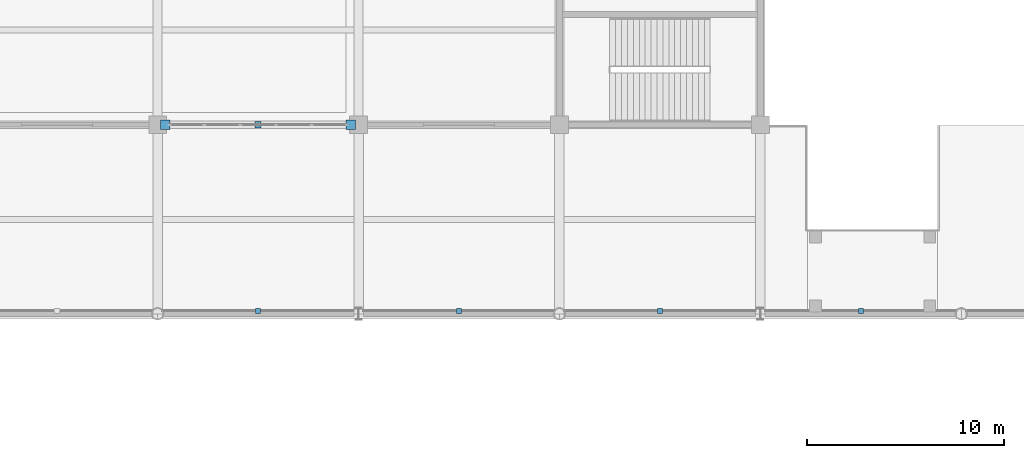
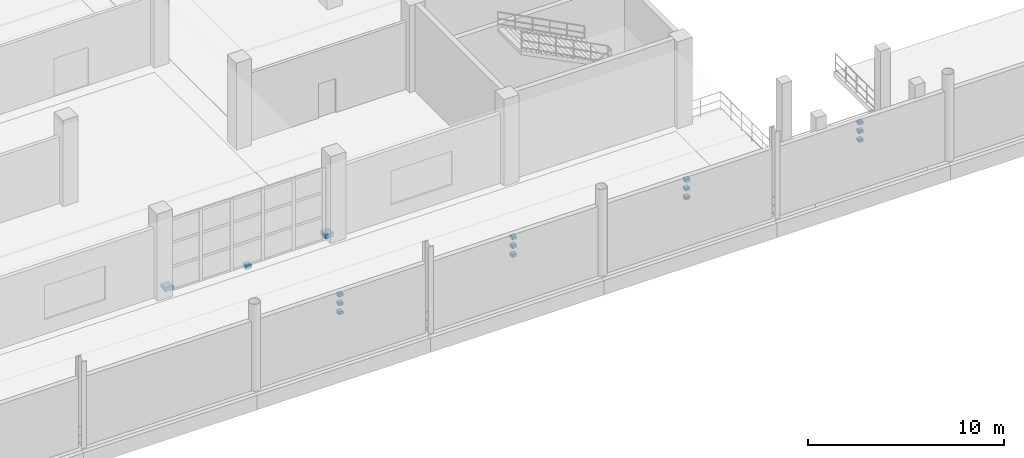
# One storey, part 145 of 175: 15 discrete accessories.
"""IFC4 building model written with IfcOpenShell, lengths in metres."""

from ifc_helpers import new_model, si_unit, direction, frame, origin, origin_2d, place, context, subcontext, project, spatial, rectangle, extrude, material, type_object, element, save


model = new_model("IFC4")

# Units and contexts
model_context = context("Model", 3, precision=1e-05, world=origin(), true_north=direction((0.0, 1.0)))
body_context = subcontext(model_context, "Body", "Model", "MODEL_VIEW")
ifc_project = project(units=[si_unit("LENGTHUNIT", "METRE"), si_unit("AREAUNIT", "SQUARE_METRE"), si_unit("VOLUMEUNIT", "CUBIC_METRE"), si_unit("PLANEANGLEUNIT", "RADIAN"), si_unit("MASSUNIT", "GRAM", prefix="KILO")], contexts=[model_context])

# Site, building, storey
site_placement = place(None, origin())
site = spatial("IfcSite", under=ifc_project, at=site_placement, CompositionType="ELEMENT")
building_placement = place(site_placement, origin())
building = spatial("IfcBuilding", under=site, at=building_placement, Name="Brelvane Convention Centre", CompositionType="ELEMENT")
storey_placement = place(building_placement, frame((0.0, 0.0, 5.39990234375)))
storey = spatial("IfcBuildingStorey", under=building, at=storey_placement, Name="L01", CompositionType="ELEMENT", Elevation=5.39990234375)

# Discrete accessories
ifc_material_1 = material(Name="Steel E350 (350 MPa)", Category="steel")
discrete_accessory_type_1 = type_object("IfcDiscreteAccessoryType", Name="Facade Outrigger Bracket BRK-01", PredefinedType="BRACKET", material=ifc_material_1)
for number, where, z_axis, x_axis, name in (
    (1, (86.699951171875, 99.7451171875, 3.8701171875), (0.0, 0.0, 1.0), (1.0, 0.0, 0.0), "Copper Band Support Bracket L01-V1N-L01-09-1"),
    (2, (86.699951171875, 99.7451171875, 3.3203125), (0.0, 0.0, 1.0), (1.0, 0.0, 0.0), "Copper Band Support Bracket L01-V1N-L01-09-2"),
    (3, (86.699951171875, 99.7451171875, 2.77001953125), (0.0, 0.0, 1.0), (1.0, 0.0, 0.0), "Copper Band Support Bracket L01-V1N-L01-09-3"),
    (4, (96.89990234375, 99.7451171875, 3.8701171875), (0.0, 0.0, 1.0), (1.0, 0.0, 0.0), "Copper Band Support Bracket L01-V1N-L01-10-1"),
    (5, (96.89990234375, 99.7451171875, 3.3203125), (0.0, 0.0, 1.0), (1.0, 0.0, 0.0), "Copper Band Support Bracket L01-V1N-L01-10-2"),
    (6, (96.89990234375, 99.7451171875, 2.77001953125), (0.0, 0.0, 1.0), (1.0, 0.0, 0.0), "Copper Band Support Bracket L01-V1N-L01-10-3"),
    (7, (107.10009765625, 99.7451171875, 3.8701171875), (0.0, 0.0, 1.0), (1.0, 0.0, 0.0), "Copper Band Support Bracket L01-V1N-L01-11-1"),
    (8, (107.10009765625, 99.7451171875, 3.3203125), (0.0, 0.0, 1.0), (1.0, 0.0, 0.0), "Copper Band Support Bracket L01-V1N-L01-11-2"),
    (9, (107.10009765625, 99.7451171875, 2.77001953125), (0.0, 0.0, 1.0), (1.0, 0.0, 0.0), "Copper Band Support Bracket L01-V1N-L01-11-3"),
    (10, (117.300048828125, 99.7451171875, 3.8701171875), (0.0, 0.0, 1.0), (1.0, 0.0, 0.0), "Copper Band Support Bracket L01-V1N-L01-12-1"),
    (11, (117.300048828125, 99.7451171875, 3.3203125), (0.0, 0.0, 1.0), (1.0, 0.0, 0.0), "Copper Band Support Bracket L01-V1N-L01-12-2"),
    (12, (117.300048828125, 99.7451171875, 2.77001953125), (0.0, 0.0, 1.0), (1.0, 0.0, 0.0), "Copper Band Support Bracket L01-V1N-L01-12-3"),
):
    element("IfcDiscreteAccessory", number, at=place(storey_placement, frame(where, z_axis=z_axis, x_axis=x_axis)), inside=storey, type_object=discrete_accessory_type_1, Name=name, PredefinedType="BRACKET", context=body_context, shape_type="SweptSolid", body=[
        extrude(rectangle(XDim=0.260009765625, YDim=0.260009765625, at=origin_2d()), origin(), (0.0, 0.0, 1.0), 0.179931640625),
    ])
ifc_material_2 = material(Name="Steel E350 (350 MPa)", Category="steel")
discrete_accessory_type_2 = type_object("IfcDiscreteAccessoryType", Name="Facade Outrigger Bracket BRK-02", PredefinedType="BRACKET", material=ifc_material_2)
for number, where, z_axis, x_axis, name in (
    (13, (81.989990234375, 109.199951171875, 0.22998046875), (0.0, 0.0, 1.0), (1.0, 0.0, 0.0), "Curtain Wall Anchor Bracket L01-V4S-09-L"),
    (14, (91.409912109375, 109.199951171875, 0.22998046875), (0.0, 0.0, 1.0), (1.0, 0.0, 0.0), "Curtain Wall Anchor Bracket L01-V4S-09-R"),
):
    element("IfcDiscreteAccessory", number, at=place(storey_placement, frame(where, z_axis=z_axis, x_axis=x_axis)), inside=storey, type_object=discrete_accessory_type_2, Name=name, PredefinedType="BRACKET", context=body_context, shape_type="SweptSolid", body=[
        extrude(rectangle(XDim=0.47998046875, YDim=0.47998046875, at=origin_2d()), origin(), (0.0, 0.0, 1.0), 0.239990234375),
    ])
discrete_accessory_placement = place(storey_placement, frame((86.699951171875, 109.199951171875, -0.14013671875), z_axis=(0.0, 0.0, 1.0), x_axis=(1.0, 0.0, 0.0)))
element("IfcDiscreteAccessory", 15, at=discrete_accessory_placement, inside=storey, type_object=discrete_accessory_type_2, Name="Curtain Wall Anchor Bracket L01-V4S-09-B", PredefinedType="BRACKET", context=body_context, shape_type="SweptSolid", body=[
    extrude(rectangle(XDim=0.320068359375, YDim=0.320068359375, at=origin_2d()), origin(), (0.0, 0.0, 1.0), 0.280029296875),
])

save(model, "model.ifc")
